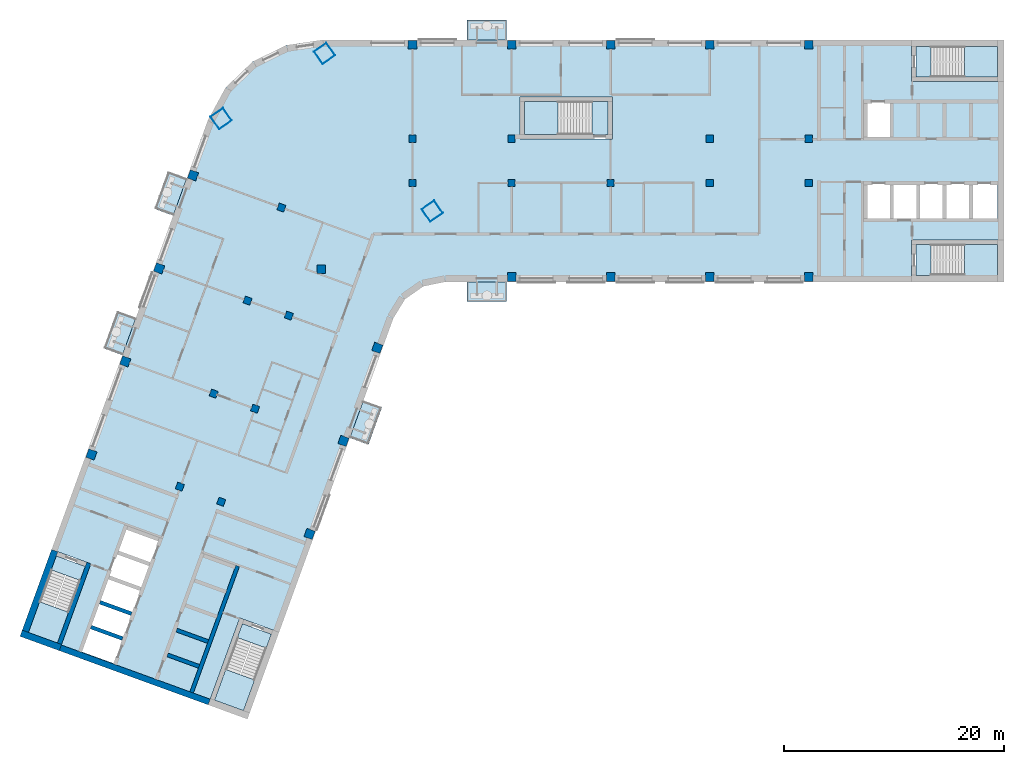
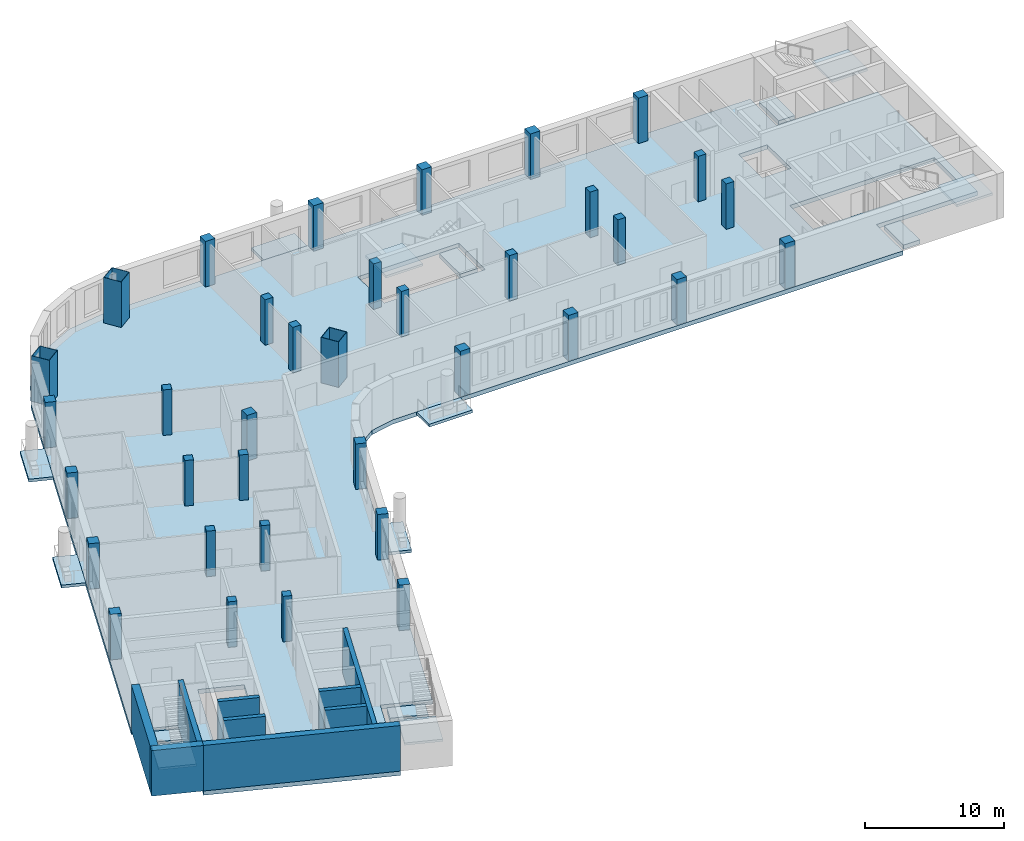
# One storey, part 1 of 10: 36 columns, 16 slabs, 9 walls, 5 elements without a shape of their own.
"""IFC4 building model written with IfcOpenShell, lengths in metres."""

from ifc_helpers import new_model, si_unit, direction, frame, frame_2d, origin, origin_2d, place, context, subcontext, project, spatial, polyline, rectangle, hollow_rectangle, outline, extrude, material, layer, layer_set, material_profile, profile_set, type_object, element, aggregate, save


model = new_model("IFC4")

# Units and contexts
model_context = context("Model", 3, precision=1e-05, world=origin(), true_north=direction((0.0, 1.0)))
body_context = subcontext(model_context, "Body", "Model", "MODEL_VIEW")
ifc_project = project(units=[si_unit("LENGTHUNIT", "METRE"), si_unit("AREAUNIT", "SQUARE_METRE"), si_unit("VOLUMEUNIT", "CUBIC_METRE"), si_unit("PLANEANGLEUNIT", "RADIAN"), si_unit("MASSUNIT", "GRAM", prefix="KILO")], contexts=[model_context])

# Site, building, storey
site_placement = place(None, origin())
site = spatial("IfcSite", under=ifc_project, at=site_placement, CompositionType="ELEMENT")
building_placement = place(site_placement, origin())
building = spatial("IfcBuilding", under=site, at=building_placement, Name="Skarvind Civic Tower", CompositionType="ELEMENT")
storey_placement = place(building_placement, frame((0.0, 0.0, 178.5)))
storey = spatial("IfcBuildingStorey", under=building, at=storey_placement, Name="L42", CompositionType="ELEMENT", Elevation=178.5)

# Columns
ifc_material_1 = material(Name="Concrete C60", Category="concrete")
ifc_material_profile_1 = material_profile(ifc_material_1, rectangle(XDim=0.64990234375, YDim=0.64990234375, at=origin_2d()), Name="RC-650x650")
ifc_profile_set_1 = profile_set([ifc_material_profile_1], Name="Concrete C60")
column_type_1 = type_object("IfcColumnType", Name="Column RC-650x650 C60", PredefinedType="COLUMN", material=ifc_profile_set_1)
for number, where, z_axis, x_axis, name in (
    (1, (54.25, 130.0, 0.0), (0.0, 0.0, 1.0), (1.0, 0.0, 0.0), "Column wing 1 north inner 02 L42"),
    (2, (63.25, 130.0, 0.0), (0.0, 0.0, 1.0), (1.0, 0.0, 0.0), "Column wing 1 north inner 03 L42"),
    (3, (81.25, 130.0, 0.0), (0.0, 0.0, 1.0), (1.0, 0.0, 0.0), "Column wing 1 north inner 05 L42"),
    (4, (90.25, 130.0, 0.0), (0.0, 0.0, 1.0), (1.0, 0.0, 0.0), "Column wing 1 north inner 06 L42"),
    (5, (54.25, 126.0, 0.0), (0.0, 0.0, 1.0), (1.0, 0.0, 0.0), "Column wing 1 south inner 02 L42"),
    (6, (63.25, 126.0, 0.0), (0.0, 0.0, 1.0), (1.0, 0.0, 0.0), "Column wing 1 south inner 03 L42"),
    (7, (72.25, 126.0, 0.0), (0.0, 0.0, 1.0), (1.0, 0.0, 0.0), "Column wing 1 south inner 04 L42"),
    (8, (81.25, 126.0, 0.0), (0.0, 0.0, 1.0), (1.0, 0.0, 0.0), "Column wing 1 south inner 05 L42"),
    (9, (90.25, 126.0, 0.0), (0.0, 0.0, 1.0), (1.0, 0.0, 0.0), "Column wing 1 south inner 06 L42"),
    (10, (43.005615234375, 113.92529296875, 0.0), (0.0, 0.0, 1.0), (-0.342020143326, -0.939692620786, 0.0), "Column wing 2 left inner 02 L42"),
    (11, (39.927490234375, 105.468017578125, 0.0), (0.0, 0.0, 1.0), (-0.342020143326, -0.939692620786, 0.0), "Column wing 2 left inner 03 L42"),
    (12, (36.84912109375, 97.010986328125, 0.0), (0.0, 0.0, 1.0), (-0.342020143326, -0.939692620786, 0.0), "Column wing 2 left inner 04 L42"),
    (13, (42.324951171875, 123.750732421875, 0.0), (0.0, 0.0, 1.0), (-0.342020143326, -0.939692620786, 0.0), "Column wing 2 right inner 01 L42"),
    (14, (39.246826171875, 115.29345703125, 0.0), (0.0, 0.0, 1.0), (-0.342020143326, -0.939692620786, 0.0), "Column wing 2 right inner 02 L42"),
    (15, (36.168701171875, 106.836181640625, 0.0), (0.0, 0.0, 1.0), (-0.342020143326, -0.939692620786, 0.0), "Column wing 2 right inner 03 L42"),
    (16, (33.090576171875, 98.37890625, 0.0), (0.0, 0.0, 1.0), (-0.342020143326, -0.939692620786, 0.0), "Column wing 2 right inner 04 L42"),
):
    element("IfcColumn", number, at=place(storey_placement, frame(where, z_axis=z_axis, x_axis=x_axis)), inside=storey, type_object=column_type_1, Name=name, PredefinedType="COLUMN", context=body_context, shape_type="SweptSolid", body=[
        extrude(rectangle(XDim=0.64990234375, YDim=0.64990234375, at=origin_2d()), origin(), (0.0, 0.0, 1.0), 4.0),
    ])
ifc_material_profile_2 = material_profile(ifc_material_1, rectangle(XDim=0.800048828125, YDim=0.800048828125, at=origin_2d()), Name="RC-800x800")
ifc_profile_set_2 = profile_set([ifc_material_profile_2], Name="Concrete C60")
column_type_2 = type_object("IfcColumnType", Name="Column RC-800x800 C60", PredefinedType="COLUMN", material=ifc_profile_set_2)
for number, where, z_axis, x_axis, name in (
    (17, (54.25, 138.550048828125, 0.0), (0.0, 0.0, 1.0), (1.0, 0.0, 0.0), "Column wing 1 north perimeter 02 L42"),
    (18, (63.25, 138.550048828125, 0.0), (0.0, 0.0, 1.0), (1.0, 0.0, 0.0), "Column wing 1 north perimeter 03 L42"),
    (19, (72.25, 138.550048828125, 0.0), (0.0, 0.0, 1.0), (1.0, 0.0, 0.0), "Column wing 1 north perimeter 04 L42"),
    (20, (81.25, 138.550048828125, 0.0), (0.0, 0.0, 1.0), (1.0, 0.0, 0.0), "Column wing 1 north perimeter 05 L42"),
    (21, (90.25, 138.550048828125, 0.0), (0.0, 0.0, 1.0), (1.0, 0.0, 0.0), "Column wing 1 north perimeter 06 L42"),
    (22, (45.95166015625, 118.151611328125, 0.0), (0.0, 0.0, 1.0), (1.0, 0.0, 0.0), "Column wing 1 south perimeter 01 L42"),
    (23, (63.25, 117.449951171875, 0.0), (0.0, 0.0, 1.0), (1.0, 0.0, 0.0), "Column wing 1 south perimeter 03 L42"),
    (24, (72.25, 117.449951171875, 0.0), (0.0, 0.0, 1.0), (1.0, 0.0, 0.0), "Column wing 1 south perimeter 04 L42"),
    (25, (81.25, 117.449951171875, 0.0), (0.0, 0.0, 1.0), (1.0, 0.0, 0.0), "Column wing 1 south perimeter 05 L42"),
    (26, (90.25, 117.449951171875, 0.0), (0.0, 0.0, 1.0), (1.0, 0.0, 0.0), "Column wing 1 south perimeter 06 L42"),
    (27, (51.0400390625, 111.0009765625, 0.0), (0.0, 0.0, 1.0), (-0.342020143326, -0.939692620786, 0.0), "Column wing 2 left perimeter 02 L42"),
    (28, (47.961669921875, 102.5439453125, 0.0), (0.0, 0.0, 1.0), (-0.342020143326, -0.939692620786, 0.0), "Column wing 2 left perimeter 03 L42"),
    (29, (44.883544921875, 94.086669921875, 0.0), (0.0, 0.0, 1.0), (-0.342020143326, -0.939692620786, 0.0), "Column wing 2 left perimeter 04 L42"),
    (30, (34.29052734375, 126.6748046875, 0.0), (0.0, 0.0, 1.0), (-0.342020143326, -0.939692620786, 0.0), "Column wing 2 right perimeter 01 L42"),
    (31, (31.21240234375, 118.2177734375, 0.0), (0.0, 0.0, 1.0), (-0.342020143326, -0.939692620786, 0.0), "Column wing 2 right perimeter 02 L42"),
    (32, (28.13427734375, 109.760498046875, 0.0), (0.0, 0.0, 1.0), (-0.342020143326, -0.939692620786, 0.0), "Column wing 2 right perimeter 03 L42"),
    (33, (25.05615234375, 101.30322265625, 0.0), (0.0, 0.0, 1.0), (-0.342020143326, -0.939692620786, 0.0), "Column wing 2 right perimeter 04 L42"),
):
    element("IfcColumn", number, at=place(storey_placement, frame(where, z_axis=z_axis, x_axis=x_axis)), inside=storey, type_object=column_type_2, Name=name, PredefinedType="COLUMN", context=body_context, shape_type="SweptSolid", body=[
        extrude(rectangle(XDim=0.800048828125, YDim=0.800048828125, at=origin_2d()), origin(), (0.0, 0.0, 1.0), 4.0),
    ])
ifc_material_2 = material(Name="Composite concrete-filled steel tube, Steel SM355 with Concrete C80", Category="concrete")
ifc_material_profile_3 = material_profile(ifc_material_2, hollow_rectangle(XDim=1.39990234375, YDim=1.39990234375, WallThickness=0.031982421875, at=origin_2d()), Name="BOX-1400x1400x32")
ifc_profile_set_3 = profile_set([ifc_material_profile_3], Name="Composite concrete-filled steel tube, Steel SM355 with Concrete C80")
column_type_3 = type_object("IfcColumnType", Name="Mega column BOX-1400x1400x32 filled C80", PredefinedType="COLUMN", material=ifc_profile_set_3)
for number, where, z_axis, x_axis, name in (
    (34, (36.845947265625, 131.837646484375, 0.0), (0.0, 0.0, 1.0), (0.573576436351, -0.819152044289, 0.0), "Mega column 1 L42"),
    (35, (46.2470703125, 137.762451171875, 0.0), (0.0, 0.0, 1.0), (0.573576436351, -0.819152044289, 0.0), "Mega column 2 L42"),
    (36, (56.0361328125, 123.43017578125, 0.0), (0.0, 0.0, 1.0), (0.573576436351, -0.819152044289, 0.0), "Mega column 4 L42"),
):
    element("IfcColumn", number, at=place(storey_placement, frame(where, z_axis=z_axis, x_axis=x_axis)), inside=storey, type_object=column_type_3, Name=name, PredefinedType="COLUMN", context=body_context, shape_type="SweptSolid", body=[
        extrude(hollow_rectangle(XDim=1.39990234375, YDim=1.39990234375, WallThickness=0.031982421875, at=origin_2d()), origin(), (0.0, 0.0, 1.0), 4.0),
    ])

# Slabs
ifc_material_3 = material(Name="Concrete C50", Category="concrete")
ifc_layer_1 = layer(ifc_material_3, 0.375)
ifc_layer_set_1 = layer_set([ifc_layer_1], Name="Floor slab 375 C50")
slab_type_1 = type_object("IfcSlabType", Name="Floor slab 375 C50", PredefinedType="FLOOR", material=ifc_layer_set_1)
slab_1_placement = place(storey_placement, frame((0.0, 0.0, -0.375)))
element("IfcSlab", 37, at=slab_1_placement, inside=storey, type_object=slab_type_1, Name="Floor slab L42 1", PredefinedType="FLOOR", context=body_context, shape_type="SweptSolid", body=[
    extrude(outline(polyline([(99.60009765625, 117.0), (99.60009765625, 120.800048828125), (108.0, 120.800048828125), (108.0, 135.199951171875), (99.60009765625, 135.199951171875), (99.60009765625, 139.0), (46.095458984375, 139.0), (42.739501953125, 138.5009765625), (39.6943359375, 137.005615234375), (37.24755859375, 134.6552734375), (35.630615234375, 131.672607421875), (19.41748046875, 87.126708984375), (21.435302734375, 92.6708984375), (25.006103515625, 91.371337890625), (22.13330078125, 83.477783203125), (36.886474609375, 78.108154296875), (35.664794921875, 78.552734375), (38.53759765625, 86.4462890625), (42.108642578125, 85.146484375), (40.0908203125, 79.602294921875), (40.0908203125, 79.602294921875), (52.493896484375, 113.68017578125), (53.560791015625, 115.421630859375), (55.23388671875, 116.593017578125), (57.235107421875, 117.0), (99.60009765625, 117.0)]), holes=[polyline([(25.671630859375, 87.9365234375), (26.492431640625, 90.19189453125), (27.313232421875, 92.447021484375), (28.134033203125, 94.702392578125), (31.3291015625, 93.53955078125), (30.50830078125, 91.2841796875), (29.6875, 89.029052734375), (28.866455078125, 86.773681640625), (28.866455078125, 86.773681640625), (28.045654296875, 84.5185546875), (27.224853515625, 82.26318359375), (24.02978515625, 83.426025390625), (24.8505859375, 85.681396484375), (25.671630859375, 87.9365234375), (25.671630859375, 87.9365234375)]), polyline([(64.0, 130.0), (64.0, 133.800048828125), (72.39990234375, 133.800048828125), (72.39990234375, 130.0), (64.0, 130.0)]), polyline([(97.800048828125, 126.0), (100.199951171875, 126.0), (102.60009765625, 126.0), (105.0, 126.0), (107.39990234375, 126.0), (107.39990234375, 122.60009765625), (105.0, 122.60009765625), (102.60009765625, 122.60009765625), (100.199951171875, 122.60009765625), (97.800048828125, 122.60009765625), (95.39990234375, 122.60009765625), (95.39990234375, 126.0), (97.800048828125, 126.0)]), polyline([(97.800048828125, 133.39990234375), (97.800048828125, 130.0), (95.39990234375, 130.0), (95.39990234375, 133.39990234375), (97.800048828125, 133.39990234375)])]), origin(), (0.0, 0.0, 1.0), 0.375),
])
ifc_material_4 = material(Name="Precast concrete C40/50", Category="concrete")
ifc_layer_2 = layer(ifc_material_4, 0.25)
ifc_layer_set_2 = layer_set([ifc_layer_2], Name="SX3 BALCONY SLAB 250")
slab_type_2 = type_object("IfcSlabType", Name="SX3 BALCONY SLAB 250", PredefinedType="FLOOR", material=ifc_layer_set_2)
slab_2_placement = place(storey_placement, frame((0.0, 0.0, -0.25)))
element("IfcSlab", 38, at=slab_2_placement, inside=storey, type_object=slab_type_2, Name="TREE BALCONY SLAB", PredefinedType="FLOOR", context=body_context, shape_type="SweptSolid", body=[
    extrude(outline(polyline([(49.769775390625, 106.19580078125), (48.53857421875, 102.812744140625), (50.22998046875, 102.197265625), (51.461181640625, 105.580078125), (49.769775390625, 106.19580078125)])), origin(), (0.0, 0.0, 1.0), 0.25),
])
slab_3_placement = place(storey_placement, frame((0.0, 0.0, -0.25)))
element("IfcSlab", 39, at=slab_3_placement, inside=storey, type_object=slab_type_2, Name="TREE BALCONY SLAB", PredefinedType="FLOOR", context=body_context, shape_type="SweptSolid", body=[
    extrude(outline(polyline([(62.800048828125, 117.0), (59.199951171875, 117.0), (59.199951171875, 115.199951171875), (62.800048828125, 115.199951171875), (62.800048828125, 117.0)])), origin(), (0.0, 0.0, 1.0), 0.25),
])
slab_4_placement = place(storey_placement, frame((0.0, 0.0, -0.25)))
element("IfcSlab", 40, at=slab_4_placement, inside=storey, type_object=slab_type_2, Name="TREE BALCONY SLAB", PredefinedType="FLOOR", context=body_context, shape_type="SweptSolid", body=[
    extrude(outline(polyline([(59.199951171875, 139.0), (62.800048828125, 139.0), (62.800048828125, 140.800048828125), (59.199951171875, 140.800048828125), (59.199951171875, 139.0)])), origin(), (0.0, 0.0, 1.0), 0.25),
])
slab_5_placement = place(storey_placement, frame((0.0, 0.0, -0.25)))
element("IfcSlab", 41, at=slab_5_placement, inside=storey, type_object=slab_type_2, Name="TREE BALCONY SLAB", PredefinedType="FLOOR", context=body_context, shape_type="SweptSolid", body=[
    extrude(outline(polyline([(27.865234375, 110.33740234375), (29.0966796875, 113.72021484375), (27.4052734375, 114.335693359375), (26.173828125, 110.952880859375), (27.865234375, 110.33740234375)])), origin(), (0.0, 0.0, 1.0), 0.25),
])
slab_6_placement = place(storey_placement, frame((0.0, 0.0, -0.25)))
element("IfcSlab", 42, at=slab_6_placement, inside=storey, type_object=slab_type_2, Name="TREE BALCONY SLAB", PredefinedType="FLOOR", context=body_context, shape_type="SweptSolid", body=[
    extrude(outline(polyline([(32.482666015625, 123.023193359375), (33.7138671875, 126.406005859375), (32.0224609375, 127.021728515625), (30.791259765625, 123.638916015625), (32.482666015625, 123.023193359375)])), origin(), (0.0, 0.0, 1.0), 0.25),
])
ifc_material_5 = material(Name="Concrete C40/50", Category="concrete")
ifc_layer_3 = layer(ifc_material_5, 0.375)
ifc_layer_set_3 = layer_set([ifc_layer_3], Name="Stair floor landing slab 375")
slab_type_3 = type_object("IfcSlabType", Name="Stair floor landing slab 375", PredefinedType="LANDING", material=ifc_layer_set_3)
slab_7_placement = place(storey_placement, frame((0.0, 0.0, -0.375)))
element("IfcSlab", 43, at=slab_7_placement, inside=storey, type_object=slab_type_3, Name="Stair floor landing", PredefinedType="LANDING", context=body_context, shape_type="SweptSolid", body=[
    extrude(outline(polyline([(101.3505859375, 138.400634765625), (101.3505859375, 135.599365234375), (99.99951171875, 135.599365234375), (99.99951171875, 138.400634765625), (101.3505859375, 138.400634765625)])), origin(), (0.0, 0.0, 1.0), 0.375),
])
slab_8_placement = place(storey_placement, frame((0.0, 0.0, -0.375)))
element("IfcSlab", 44, at=slab_8_placement, inside=storey, type_object=slab_type_3, Name="Stair floor landing", PredefinedType="LANDING", context=body_context, shape_type="SweptSolid", body=[
    extrude(outline(polyline([(101.3505859375, 120.400634765625), (101.3505859375, 117.599365234375), (99.99951171875, 117.599365234375), (99.99951171875, 120.400634765625), (101.3505859375, 120.400634765625)])), origin(), (0.0, 0.0, 1.0), 0.375),
])
slab_9_placement = place(storey_placement, frame((0.0, 0.0, -0.375)))
element("IfcSlab", 45, at=slab_9_placement, inside=storey, type_object=slab_type_3, Name="Stair floor landing", PredefinedType="LANDING", context=body_context, shape_type="SweptSolid", body=[
    extrude(outline(polyline([(40.946533203125, 83.70654296875), (38.314208984375, 84.66455078125), (38.7763671875, 85.934326171875), (41.40869140625, 84.976318359375), (40.946533203125, 83.70654296875)])), origin(), (0.0, 0.0, 1.0), 0.375),
])
slab_10_placement = place(storey_placement, frame((0.0, 0.0, -0.375)))
element("IfcSlab", 46, at=slab_10_placement, inside=storey, type_object=slab_type_3, Name="Stair floor landing", PredefinedType="LANDING", context=body_context, shape_type="SweptSolid", body=[
    extrude(outline(polyline([(24.0322265625, 89.863037109375), (21.39990234375, 90.821044921875), (21.862060546875, 92.090576171875), (24.494384765625, 91.132568359375), (24.0322265625, 89.863037109375)])), origin(), (0.0, 0.0, 1.0), 0.375),
])
slab_11_placement = place(storey_placement, frame((0.0, 0.0, -0.375)))
element("IfcSlab", 47, at=slab_11_placement, inside=storey, type_object=slab_type_3, Name="Stair floor landing", PredefinedType="LANDING", context=body_context, shape_type="SweptSolid", body=[
    extrude(outline(polyline([(70.54931640625, 130.3994140625), (70.54931640625, 133.400634765625), (72.00048828125, 133.400634765625), (72.00048828125, 130.3994140625), (70.54931640625, 130.3994140625)])), origin(), (0.0, 0.0, 1.0), 0.375),
])

# Stair, slab
stair_type_1 = type_object("IfcStairType", Name="Exit stair, half-turn, concrete", PredefinedType="HALF_TURN_STAIR", material=ifc_material_5)
stair_1_placement = place(storey_placement, origin())
stair_1 = element("IfcStair", 48, at=stair_1_placement, inside=storey, type_object=stair_type_1, Name="Exit stair C1S", PredefinedType="HALF_TURN_STAIR")
ifc_layer_4 = layer(ifc_material_5, 0.199951171875)
ifc_layer_set_4 = layer_set([ifc_layer_4], Name="Stair half landing slab")
slab_type_4 = type_object("IfcSlabType", Name="Stair half landing slab", PredefinedType="LANDING", material=ifc_layer_set_4)
slab_12_placement = place(storey_placement, frame((0.0, 0.0, 1.800048828125)))
slab_12 = element("IfcSlab", 49, at=slab_12_placement, type_object=slab_type_4, Name="ST-C1S landing 1", PredefinedType="LANDING", context=body_context, shape_type="SweptSolid", body=[
    extrude(outline(polyline([(104.429443359375, 135.599365234375), (104.429443359375, 138.400634765625), (107.400634765625, 138.400634765625), (107.400634765625, 135.599365234375), (104.429443359375, 135.599365234375)])), origin(), (0.0, 0.0, 1.0), 0.199951171875),
])
aggregate(stair_1, [slab_12])

stair_2_placement = place(storey_placement, origin())
stair_2 = element("IfcStair", 50, at=stair_2_placement, inside=storey, type_object=stair_type_1, Name="Exit stair C1N", PredefinedType="HALF_TURN_STAIR")
slab_13_placement = place(storey_placement, frame((0.0, 0.0, 1.800048828125)))
slab_13 = element("IfcSlab", 51, at=slab_13_placement, type_object=slab_type_4, Name="ST-C1N landing 1", PredefinedType="LANDING", context=body_context, shape_type="SweptSolid", body=[
    extrude(outline(polyline([(104.429443359375, 117.599365234375), (104.429443359375, 120.400634765625), (107.400634765625, 120.400634765625), (107.400634765625, 117.599365234375), (104.429443359375, 117.599365234375)])), origin(), (0.0, 0.0, 1.0), 0.199951171875),
])
aggregate(stair_2, [slab_13])

stair_3_placement = place(storey_placement, origin())
stair_3 = element("IfcStair", 52, at=stair_3_placement, inside=storey, type_object=stair_type_1, Name="Exit stair C2S", PredefinedType="HALF_TURN_STAIR")
slab_14_placement = place(storey_placement, frame((0.0, 0.0, 1.800048828125)))
slab_14 = element("IfcSlab", 53, at=slab_14_placement, type_object=slab_type_4, Name="ST-C2S landing 1", PredefinedType="LANDING", context=body_context, shape_type="SweptSolid", body=[
    extrude(outline(polyline([(37.26123046875, 81.771484375), (39.8935546875, 80.8134765625), (38.87744140625, 78.021484375), (36.2451171875, 78.9794921875), (37.26123046875, 81.771484375)])), origin(), (0.0, 0.0, 1.0), 0.199951171875),
])
aggregate(stair_3, [slab_14])

stair_4_placement = place(storey_placement, origin())
stair_4 = element("IfcStair", 54, at=stair_4_placement, inside=storey, type_object=stair_type_1, Name="Exit stair C2N", PredefinedType="HALF_TURN_STAIR")
slab_15_placement = place(storey_placement, frame((0.0, 0.0, 1.800048828125)))
slab_15 = element("IfcSlab", 55, at=slab_15_placement, type_object=slab_type_4, Name="ST-C2N landing 1", PredefinedType="LANDING", context=body_context, shape_type="SweptSolid", body=[
    extrude(outline(polyline([(20.346923828125, 87.927734375), (22.97900390625, 86.9697265625), (21.962890625, 84.177734375), (19.33056640625, 85.1357421875), (20.346923828125, 87.927734375)])), origin(), (0.0, 0.0, 1.0), 0.199951171875),
])
aggregate(stair_4, [slab_15])

stair_type_2 = type_object("IfcStairType", Name="Exit stair 1450, half-turn, concrete", PredefinedType="HALF_TURN_STAIR", material=ifc_material_5)
stair_5_placement = place(storey_placement, origin())
stair_5 = element("IfcStair", 56, at=stair_5_placement, inside=storey, type_object=stair_type_2, Name="Exit stair CM", PredefinedType="HALF_TURN_STAIR")
slab_16_placement = place(storey_placement, frame((0.0, 0.0, 1.800048828125)))
slab_16 = element("IfcSlab", 57, at=slab_16_placement, type_object=slab_type_4, Name="ST-CM landing 1", PredefinedType="LANDING", context=body_context, shape_type="SweptSolid", body=[
    extrude(outline(polyline([(67.470703125, 133.400634765625), (67.470703125, 130.3994140625), (64.3994140625, 130.3994140625), (64.3994140625, 133.400634765625), (67.470703125, 133.400634765625)])), origin(), (0.0, 0.0, 1.0), 0.199951171875),
])
aggregate(stair_5, [slab_16])

# Walls
ifc_layer_5 = layer(ifc_material_1, 0.35009765625)
ifc_layer_set_5 = layer_set([ifc_layer_5], Name="Core wall 350 C60")
wall_type_1 = type_object("IfcWallType", Name="Core wall 350 C60", PredefinedType="SHEAR", material=ifc_layer_set_5)
wall_1_placement = place(storey_placement, frame((34.161376953125, 79.685302734375, 0.0), z_axis=(0.0, 0.0, 1.0), x_axis=(0.34201563943, 0.939694260058, 0.0)))
element("IfcWall", 58, at=wall_1_placement, inside=storey, type_object=wall_type_1, Name="Core wall C2 south lift row back L42", PredefinedType="SHEAR", context=body_context, shape_type="SweptSolid", body=[
    extrude(rectangle(XDim=12.22509765625, YDim=0.35009765625, at=frame_2d((6.112548828125, 0.0))), origin(), (0.0, 0.0, 1.0), 4.0),
])
wall_2_placement = place(storey_placement, frame((34.8349609375, 82.04736328125, 0.0), z_axis=(0.0, 0.0, 1.0), x_axis=(-0.939683528043, 0.3420451244, 0.0)))
element("IfcWall", 59, at=wall_2_placement, inside=storey, type_object=wall_type_1, Name="Core wall C2 south lift row division 1 L42", PredefinedType="SHEAR", context=body_context, shape_type="SweptSolid", body=[
    extrude(rectangle(XDim=3.050048828125, YDim=0.35009765625, at=frame_2d((1.52490234375, 0.0))), origin(), (0.0, 0.0, 1.0), 4.0),
])
wall_3_placement = place(storey_placement, frame((35.65576171875, 84.302734375, 0.0), z_axis=(0.0, 0.0, 1.0), x_axis=(-0.939709254651, 0.341974438698, 0.0)))
element("IfcWall", 60, at=wall_3_placement, inside=storey, type_object=wall_type_1, Name="Core wall C2 south lift row division 2 L42", PredefinedType="SHEAR", context=body_context, shape_type="SweptSolid", body=[
    extrude(rectangle(XDim=3.0498046875, YDim=0.35009765625, at=frame_2d((1.52490234375, 0.0))), origin(), (0.0, 0.0, 1.0), 4.0),
])
for number, where, z_axis, x_axis, name in (
    (61, (27.881103515625, 84.578369140625, 0.0), (0.0, 0.0, 1.0), (-0.939683528043, 0.3420451244, 0.0), "Core wall C2 north lift row division 1 L42"),
    (62, (28.7021484375, 86.83349609375, 0.0), (0.0, 0.0, 1.0), (-0.939692892192, 0.342019397644, 0.0), "Core wall C2 north lift row division 2 L42"),
):
    element("IfcWall", number, at=place(storey_placement, frame(where, z_axis=z_axis, x_axis=x_axis)), inside=storey, type_object=wall_type_1, Name=name, PredefinedType="SHEAR", context=body_context, shape_type="SweptSolid", body=[
        extrude(rectangle(XDim=3.050048828125, YDim=0.35009765625, at=frame_2d((1.52490234375, 0.0))), origin(), (0.0, 0.0, 1.0), 4.0),
    ])
ifc_layer_6 = layer(ifc_material_1, 0.39990234375)
ifc_layer_set_6 = layer_set([ifc_layer_6], Name="Core wall 400 C60")
wall_type_2 = type_object("IfcWallType", Name="Core wall 400 C60", PredefinedType="SHEAR", material=ifc_layer_set_6)
wall_4_placement = place(storey_placement, frame((22.150390625, 84.110107421875, 0.0), z_axis=(0.0, 0.0, 1.0), x_axis=(0.342016982193, 0.939693771338, 0.0)))
element("IfcWall", 63, at=wall_4_placement, inside=storey, type_object=wall_type_2, Name="Core wall C2 north stair inner L42", PredefinedType="SHEAR", context=body_context, shape_type="SweptSolid", body=[
    extrude(rectangle(XDim=7.800048828125, YDim=0.39990234375, at=frame_2d((3.89990234375, 0.0))), origin(), (0.0, 0.0, 1.0), 4.0),
])
ifc_layer_7 = layer(ifc_material_1, 0.550048828125)
ifc_layer_set_7 = layer_set([ifc_layer_7], Name="Core wall 550 C60")
wall_type_3 = type_object("IfcWallType", Name="Core wall 550 C60", PredefinedType="SHEAR", material=ifc_layer_set_7)
wall_5_placement = place(storey_placement, frame((35.7587890625, 78.811279296875, 0.0), z_axis=(0.0, 0.0, 1.0), x_axis=(-0.939692894512, 0.342019391267, 0.0)))
element("IfcWall", 64, at=wall_5_placement, inside=storey, type_object=wall_type_3, Name="Core wall C2 tip between the stairs L42", PredefinedType="SHEAR", context=body_context, shape_type="SweptSolid", body=[
    extrude(rectangle(XDim=14.39990234375, YDim=0.550048828125, at=frame_2d((7.199951171875, 0.0))), origin(), (0.0, 0.0, 1.0), 4.0),
])
ifc_layer_8 = layer(ifc_material_1, 0.60009765625)
ifc_layer_set_8 = layer_set([ifc_layer_8], Name="Core wall 600 C60")
wall_type_4 = type_object("IfcWallType", Name="Core wall 600 C60", PredefinedType="SHEAR", material=ifc_layer_set_8)
wall_6_placement = place(storey_placement, frame((22.23583984375, 83.759765625, 0.0), z_axis=(0.0, 0.0, 1.0), x_axis=(-0.939680822529, 0.342052557032, 0.0)))
element("IfcWall", 65, at=wall_6_placement, inside=storey, type_object=wall_type_4, Name="Core wall C2 tip at the north stair L42", PredefinedType="SHEAR", context=body_context, shape_type="SweptSolid", body=[
    extrude(rectangle(XDim=3.800048828125, YDim=0.60009765625, at=frame_2d((1.89990234375, 0.0))), origin(), (0.0, 0.0, 1.0), 4.0),
])
wall_7_placement = place(storey_placement, frame((19.049560546875, 85.23876953125, 0.0), z_axis=(0.0, 0.0, 1.0), x_axis=(0.342016982193, 0.939693771338, 0.0)))
element("IfcWall", 66, at=wall_7_placement, inside=storey, type_object=wall_type_4, Name="Core wall C2 north side at the stair L42", PredefinedType="SHEAR", context=body_context, shape_type="SweptSolid", body=[
    extrude(rectangle(XDim=7.800048828125, YDim=0.60009765625, at=frame_2d((3.89990234375, 0.0))), origin(), (0.0, 0.0, 1.0), 4.0),
])

save(model, "model.ifc")
